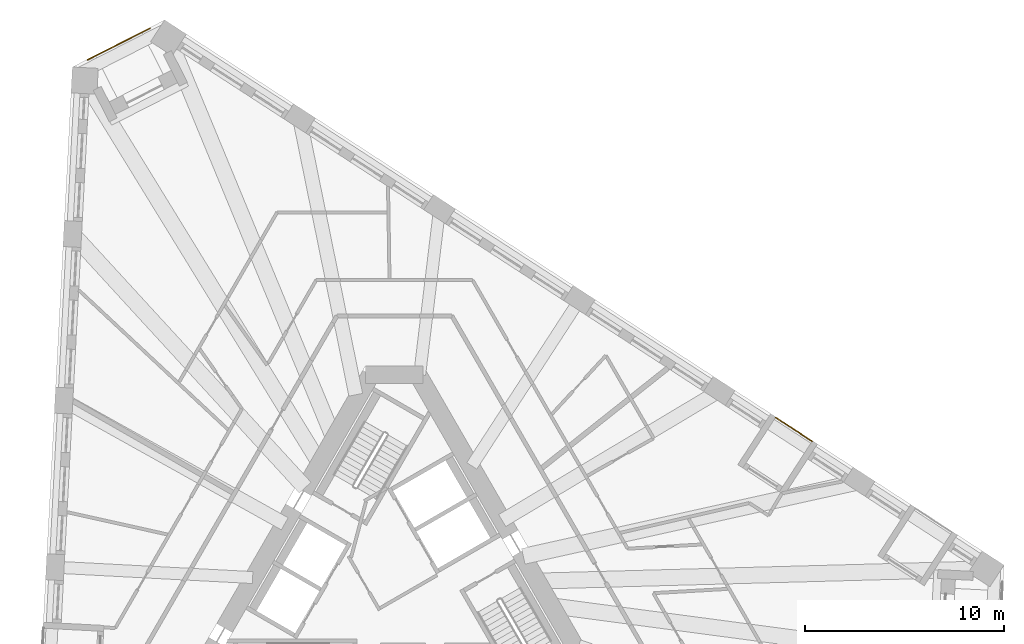
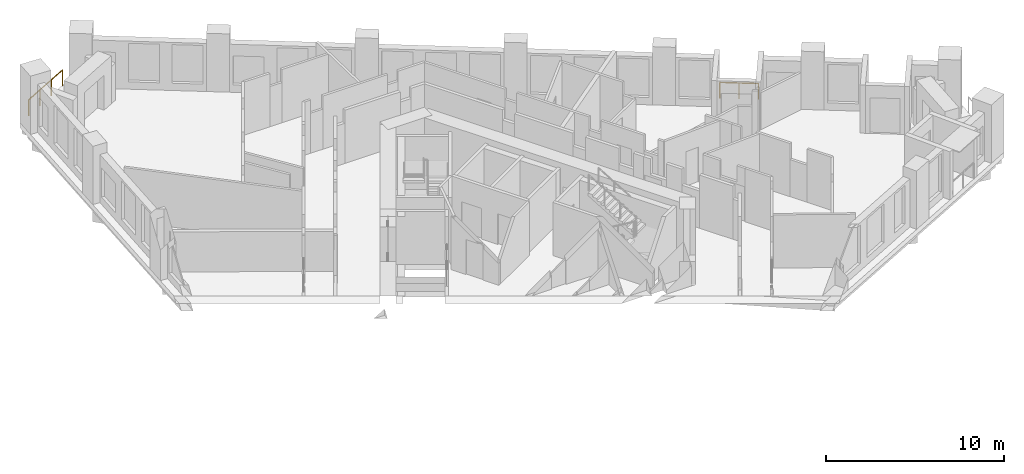
# One storey, part 13 of 13: 2 railings.
"""IFC4 building model written with IfcOpenShell, lengths in metres."""

from ifc_helpers import new_model, si_unit, direction, frame, origin, origin_2d, place, context, subcontext, project, spatial, circle, extrude, material, type_object, element, save


model = new_model("IFC4")

# Units and contexts
model_context = context("Model", 3, precision=1e-05, world=origin(), true_north=direction((0.0, 1.0)))
body_context = subcontext(model_context, "Body", "Model", "MODEL_VIEW")
ifc_project = project(units=[si_unit("LENGTHUNIT", "METRE"), si_unit("AREAUNIT", "SQUARE_METRE"), si_unit("VOLUMEUNIT", "CUBIC_METRE"), si_unit("PLANEANGLEUNIT", "RADIAN"), si_unit("MASSUNIT", "GRAM", prefix="KILO")], contexts=[model_context])

# Site, building, storey
site_placement = place(None, origin())
site = spatial("IfcSite", under=ifc_project, at=site_placement, CompositionType="ELEMENT")
building_placement = place(site_placement, origin())
building = spatial("IfcBuilding", under=site, at=building_placement, Name="Tramontana Tower", CompositionType="ELEMENT")
storey_placement = place(building_placement, frame((0.0, 0.0, 153.60009765625)))
storey = spatial("IfcBuildingStorey", under=building, at=storey_placement, Name="L35", CompositionType="ELEMENT", Elevation=153.60009765625)

# Railings
ifc_material = material(Name="Laminated glass balustrade", Category="glass")
railing_type = type_object("IfcRailingType", Name="GD1 Loggia glass balustrade 1100", PredefinedType="BALUSTRADE", material=ifc_material)
railing_1_placement = place(storey_placement, frame((20.96484375, 7.2158203125, 0.0)))
element("IfcRailing", 1, at=railing_1_placement, inside=storey, type_object=railing_type, Name="Loggia balustrade L35 G3S2.4", PredefinedType="BALUSTRADE", context=body_context, shape_type="SweptSolid", body=[
    extrude(circle(Radius=0.02392578125, at=origin_2d()), frame((0.0, 0.0, 1.076171875), z_axis=(-0.838659986147, 0.544655329209, 0.0), x_axis=(-0.544655329209, -0.838659986147, 0.0)), (0.0, 0.0, 1.0), 2.190673828125),
    extrude(circle(Radius=0.02099609375, at=origin_2d()), origin(), (0.0, 0.0, 1.0), 1.052001953125),
    extrude(circle(Radius=0.02099609375, at=origin_2d()), frame((-0.91845703125, 0.5966796875, 0.0)), (0.0, 0.0, 1.0), 1.052001953125),
    extrude(circle(Radius=0.02099609375, at=origin_2d()), frame((-1.837158203125, 1.193115234375, 0.0)), (0.0, 0.0, 1.0), 1.052001953125),
])
railing_2_placement = place(storey_placement, frame((-15.392333984375, 26.3544921875, 0.0)))
element("IfcRailing", 2, at=railing_2_placement, inside=storey, type_object=railing_type, Name="Corner loggia balustrade L35 K30", PredefinedType="BALUSTRADE", context=body_context, shape_type="SweptSolid", body=[
    extrude(circle(Radius=0.02392578125, at=origin_2d()), frame((0.0, 0.0, 1.076171875), z_axis=(0.891011280655, 0.453981164527, 0.0), x_axis=(-0.453981164527, 0.891011280655, 0.0)), (0.0, 0.0, 1.0), 3.499755859375),
    extrude(circle(Radius=0.02099609375, at=origin_2d()), origin(), (0.0, 0.0, 1.0), 1.052001953125),
    extrude(circle(Radius=0.02099609375, at=origin_2d()), frame((1.03955078125, 0.529541015625, 0.0)), (0.0, 0.0, 1.0), 1.052001953125),
    extrude(circle(Radius=0.02099609375, at=origin_2d()), frame((2.078857421875, 1.059326171875, 0.0)), (0.0, 0.0, 1.0), 1.052001953125),
    extrude(circle(Radius=0.02099609375, at=origin_2d()), frame((3.118408203125, 1.5888671875, 0.0)), (0.0, 0.0, 1.0), 1.052001953125),
])

save(model, "model.ifc")
